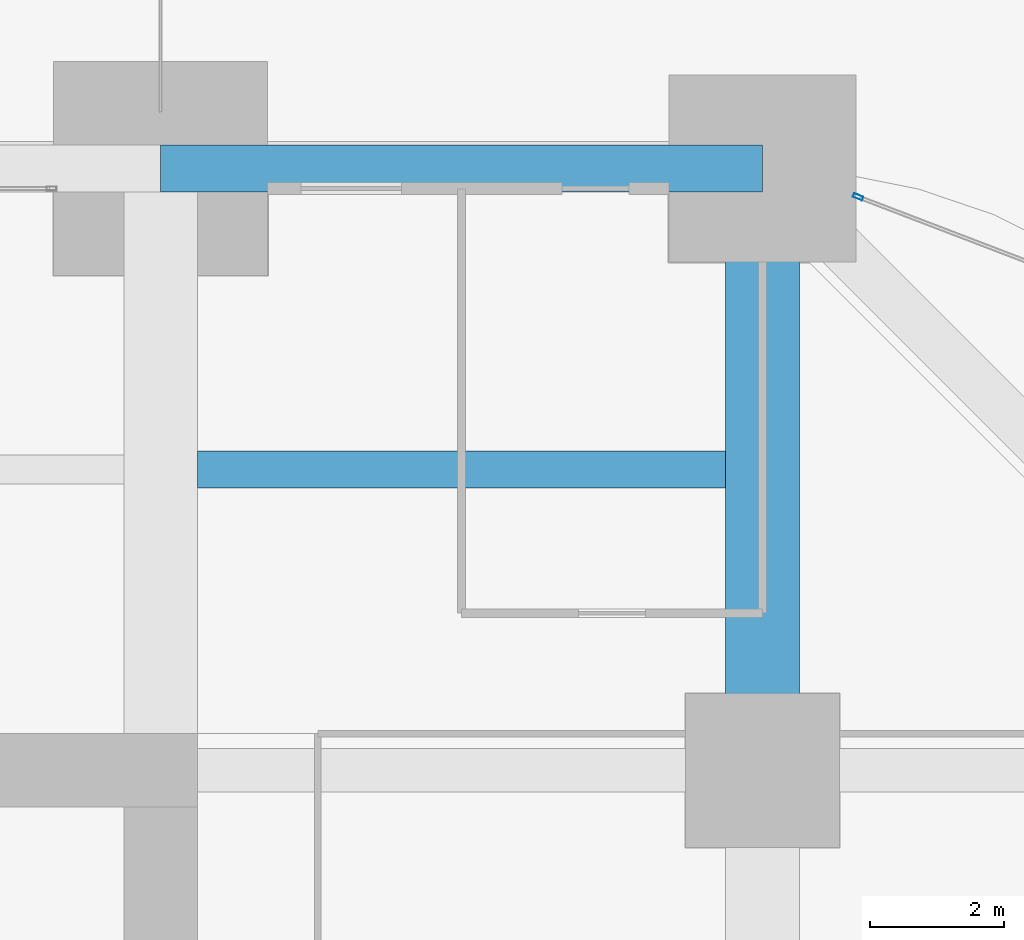
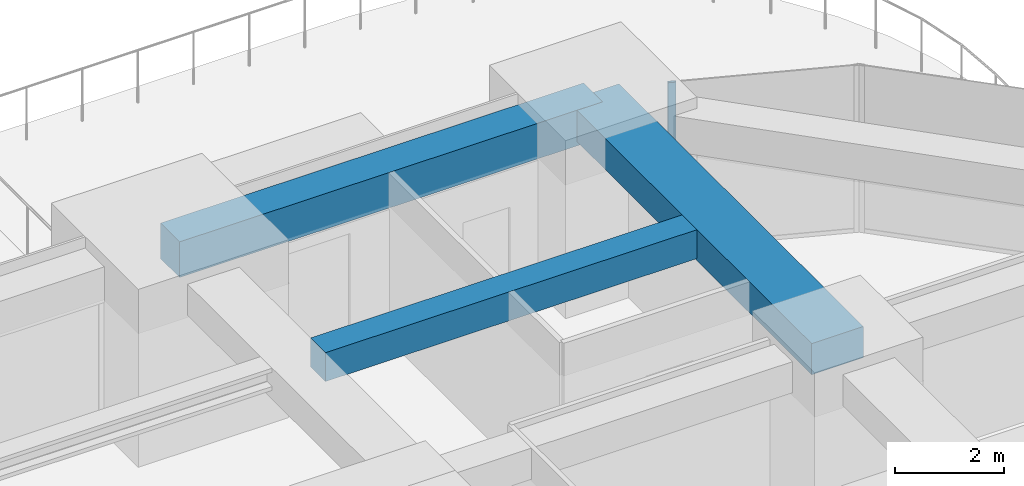
# One storey, part 33 of 50: 3 beams, 1 member, 1 element without a shape of its own.
"""IFC4 building model written with IfcOpenShell, lengths in metres."""

from ifc_helpers import new_model, si_unit, direction, frame, origin, origin_2d, place, context, subcontext, project, spatial, rectangle, hollow_rectangle, extrude, material, material_profile, profile_set, type_object, element, aggregate, save


model = new_model("IFC4")

# Units and contexts
model_context = context("Model", 3, precision=1e-05, world=origin(), true_north=direction((0.0, 1.0)))
body_context = subcontext(model_context, "Body", "Model", "MODEL_VIEW")
ifc_project = project(units=[si_unit("LENGTHUNIT", "METRE"), si_unit("AREAUNIT", "SQUARE_METRE"), si_unit("VOLUMEUNIT", "CUBIC_METRE"), si_unit("PLANEANGLEUNIT", "RADIAN"), si_unit("MASSUNIT", "GRAM", prefix="KILO")], contexts=[model_context])

# Site, building, storey
site_placement = place(None, origin())
site = spatial("IfcSite", under=ifc_project, at=site_placement, CompositionType="ELEMENT")
building_placement = place(site_placement, origin())
building = spatial("IfcBuilding", under=site, at=building_placement, Name="Zorevar Civic Tower", CompositionType="ELEMENT")
storey_placement = place(building_placement, frame((0.0, 0.0, 85.0)))
storey = spatial("IfcBuildingStorey", under=building, at=storey_placement, Name="L20", CompositionType="ELEMENT", Elevation=85.0)

# Beams
ifc_material_1 = material(Name="Concrete C50/60", Category="concrete")
ifc_material_profile_1 = material_profile(ifc_material_1, rectangle(XDim=1.10009765625, YDim=0.699951171875, at=origin_2d()), Name="RC 1100x700")
ifc_profile_set_1 = profile_set([ifc_material_profile_1], Name="Concrete C50/60")
beam_type_1 = type_object("IfcBeamType", Name="Beam RC 1100x700", PredefinedType="BEAM", material=ifc_profile_set_1)
beam_1_placement = place(storey_placement, frame((54.0, 36.0, 3.39990234375), z_axis=(0.0, 1.0, 0.0), x_axis=(-1.0, 0.0, 0.0)))
element("IfcBeam", 1, at=beam_1_placement, inside=storey, type_object=beam_type_1, Name="Girder L21", PredefinedType="BEAM", context=body_context, shape_type="SweptSolid", body=[
    extrude(rectangle(XDim=1.10009765625, YDim=0.699951171875, at=origin_2d()), origin(), (0.0, 0.0, 1.0), 9.0),
])
ifc_material_2 = material(Name="Concrete C50/60", Category="concrete")
ifc_material_profile_2 = material_profile(ifc_material_2, rectangle(XDim=0.550048828125, YDim=0.64990234375, at=origin_2d()), Name="RC 550x650")
ifc_profile_set_2 = profile_set([ifc_material_profile_2], Name="Concrete C50/60")
beam_type_2 = type_object("IfcBeamType", Name="Beam RC 550x650", PredefinedType="BEAM", material=ifc_profile_set_2)
beam_2_placement = place(storey_placement, frame((45.550048828125, 40.5, 3.425048828125), z_axis=(1.0, 0.0, 0.0), x_axis=(0.0, 1.0, 0.0)))
element("IfcBeam", 2, at=beam_2_placement, inside=storey, type_object=beam_type_2, Name="Secondary beam L21", PredefinedType="BEAM", context=body_context, shape_type="SweptSolid", body=[
    extrude(rectangle(XDim=0.550048828125, YDim=0.64990234375, at=origin_2d()), origin(), (0.0, 0.0, 1.0), 7.89990234375),
])

# Curtain wall, member
ifc_material_3 = material(Name="Dark grey solar-control glass in black aluminium frame", Category="aluminium")
curtain_wall_type = type_object("IfcCurtainWallType", Name="Curtain wall CW3 mid zone", PredefinedType="NOTDEFINED", material=ifc_material_3)
curtain_wall_placement = place(storey_placement, origin())
curtain_wall = element("IfcCurtainWall", 3, at=curtain_wall_placement, inside=storey, type_object=curtain_wall_type, Name="CW3 L20", PredefinedType="NOTDEFINED")
ifc_material_4 = material(Name="Aluminium, black anodised", Category="aluminium")
ifc_material_profile_3 = material_profile(ifc_material_4, hollow_rectangle(XDim=0.06005859375, YDim=0.14990234375, WallThickness=0.00390625, at=origin_2d()), Name="AL 150x60x4")
ifc_profile_set_3 = profile_set([ifc_material_profile_3], Name="Aluminium, black anodised")
member_type = type_object("IfcMemberType", Name="CW3 mullion AL 150x60x4", PredefinedType="MULLION", material=ifc_profile_set_3)
member_placement = place(storey_placement, frame((55.427978515625, 44.575927734375, 0.0), z_axis=(0.0, 0.0, 1.0), x_axis=(-0.35756081575, -0.933889855947, 0.0)))
member = element("IfcMember", 4, at=member_placement, type_object=member_type, Name="CW3 mullion 2", PredefinedType="MULLION", context=body_context, shape_type="SweptSolid", body=[
    extrude(hollow_rectangle(XDim=0.06005859375, YDim=0.14990234375, WallThickness=0.00390625, at=origin_2d()), origin(), (0.0, 0.0, 1.0), 3.75),
])
aggregate(curtain_wall, [member])

# Beam
ifc_material_5 = material(Name="Concrete C50/60", Category="concrete")
ifc_material_profile_4 = material_profile(ifc_material_5, rectangle(XDim=0.699951171875, YDim=0.800048828125, at=origin_2d()), Name="RC 700x800")
ifc_profile_set_4 = profile_set([ifc_material_profile_4], Name="Concrete C50/60")
beam_type_3 = type_object("IfcBeamType", Name="Edge beam RC 700x800", PredefinedType="SPANDREL", material=ifc_profile_set_4)
beam_3_placement = place(storey_placement, frame((45.0, 45.0, 3.35009765625), z_axis=(1.0, 0.0, 0.0), x_axis=(0.0, 1.0, 0.0)))
element("IfcBeam", 5, at=beam_3_placement, inside=storey, type_object=beam_type_3, Name="Edge beam L21", PredefinedType="SPANDREL", context=body_context, shape_type="SweptSolid", body=[
    extrude(rectangle(XDim=0.699951171875, YDim=0.800048828125, at=origin_2d()), origin(), (0.0, 0.0, 1.0), 9.0),
])

save(model, "model.ifc")
